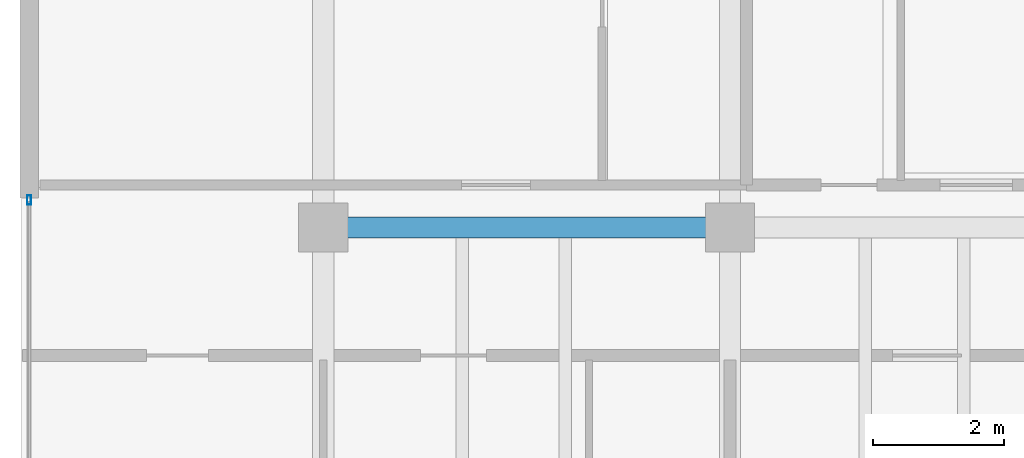
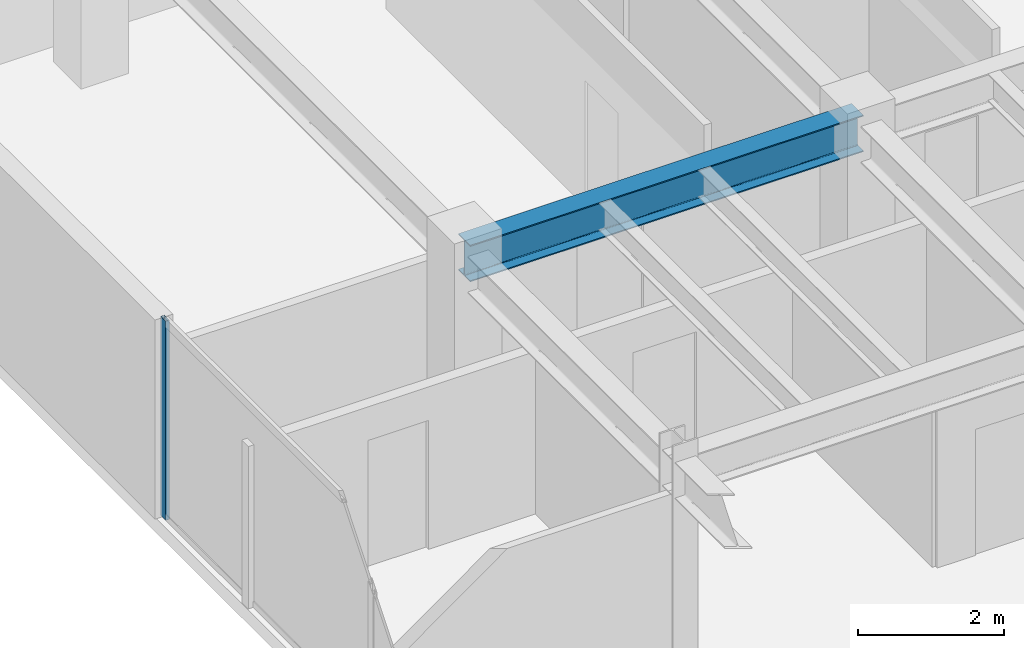
# One storey, part 11 of 16: 1 beam, 1 member, 1 element without a shape of its own.
"""IFC4 building model written with IfcOpenShell, lengths in metres."""

from ifc_helpers import new_model, si_unit, direction, frame, origin, origin_2d, place, context, subcontext, project, spatial, hollow_rectangle, i_section, extrude, material, layer, layer_set, material_profile, profile_set, type_object, element, aggregate, save


model = new_model("IFC4")

# Units and contexts
model_context = context("Model", 3, precision=1e-05, world=origin(), true_north=direction((0.0, 1.0)))
body_context = subcontext(model_context, "Body", "Model", "MODEL_VIEW")
ifc_project = project(units=[si_unit("LENGTHUNIT", "METRE"), si_unit("AREAUNIT", "SQUARE_METRE"), si_unit("VOLUMEUNIT", "CUBIC_METRE"), si_unit("PLANEANGLEUNIT", "RADIAN"), si_unit("MASSUNIT", "GRAM", prefix="KILO")], contexts=[model_context])

# Site, building, storey
site_placement = place(None, origin())
site = spatial("IfcSite", under=ifc_project, at=site_placement, CompositionType="ELEMENT")
building_placement = place(site_placement, origin())
building = spatial("IfcBuilding", under=site, at=building_placement, Name="Kravanh Interchange Tower", CompositionType="ELEMENT")
storey_placement = place(building_placement, frame((0.0, 0.0, 307.5)))
storey = spatial("IfcBuildingStorey", under=building, at=storey_placement, Name="L76", CompositionType="ELEMENT", Elevation=307.5)

# Curtain wall, member
ifc_material_1 = material(Name="Anodised Bronze Aluminium", Category="aluminium")
ifc_layer = layer(ifc_material_1, 0.179931640625)
ifc_layer_set = layer_set([ifc_layer], Name="Unitised Curtain Wall System CW-HTL Luxury Hotel")
curtain_wall_type = type_object("IfcCurtainWallType", Name="Unitised Curtain Wall System CW-HTL Luxury Hotel", PredefinedType="NOTDEFINED", material=ifc_layer_set)
curtain_wall_placement = place(storey_placement, origin())
curtain_wall = element("IfcCurtainWall", 1, at=curtain_wall_placement, inside=storey, type_object=curtain_wall_type, Name="L76 Unitised Curtain Wall CW-L76-01", PredefinedType="NOTDEFINED")
ifc_material_2 = material(Name="Anodised Bronze Aluminium", Category="aluminium")
ifc_material_profile_1 = material_profile(ifc_material_2, hollow_rectangle(XDim=0.06005859375, YDim=0.139892578125, WallThickness=0.00390625, at=origin_2d()), Name="ALU60X140X4")
ifc_profile_set_1 = profile_set([ifc_material_profile_1], Name="Anodised Bronze Aluminium")
member_type = type_object("IfcMemberType", Name="Curtain Wall Mullion ALU60X140X4 Bronze", PredefinedType="MULLION", material=ifc_profile_set_1)
member_placement = place(storey_placement, frame((34.1201171875, 37.77001953125, 0.0), z_axis=(0.0, 0.0, 1.0), x_axis=(-1.0, 0.0, 0.0)))
member = element("IfcMember", 2, at=member_placement, type_object=member_type, Name="CW-HTL mullion 4", PredefinedType="MULLION", context=body_context, shape_type="SweptSolid", body=[
    extrude(hollow_rectangle(XDim=0.06005859375, YDim=0.139892578125, WallThickness=0.00390625, at=origin_2d()), origin(), (0.0, 0.0, 1.0), 3.320068359375),
])
aggregate(curtain_wall, [member])

# Beam
ifc_material_3 = material(Name="Structural Steel S355", Category="steel")
ifc_material_profile_2 = material_profile(ifc_material_3, i_section(OverallWidth=0.323974609375, OverallDepth=0.611083984375, WebThickness=0.0126953125, FlangeThickness=0.01904296875, FilletRadius=0.02197265625, at=origin_2d()), Name="W24X104")
ifc_profile_set_2 = profile_set([ifc_material_profile_2], Name="Structural Steel S355")
beam_type = type_object("IfcBeamType", Name="Floor Beam W24X104 Structural Steel S355", PredefinedType="BEAM", material=ifc_profile_set_2)
beam_placement = place(storey_placement, frame((44.800048828125, 37.35009765625, 3.014404296875), z_axis=(-1.0, 0.0, 0.0), x_axis=(0.0, -1.0, 0.0)))
element("IfcBeam", 3, at=beam_placement, inside=storey, type_object=beam_type, Name="L76 Primary Floor Girder 37", PredefinedType="BEAM", context=body_context, shape_type="SweptSolid", body=[
    extrude(i_section(OverallWidth=0.323974609375, OverallDepth=0.611083984375, WebThickness=0.0126953125, FlangeThickness=0.01904296875, FilletRadius=0.02197265625, at=origin_2d()), origin(), (0.0, 0.0, 1.0), 6.199951171875),
])

save(model, "model.ifc")
